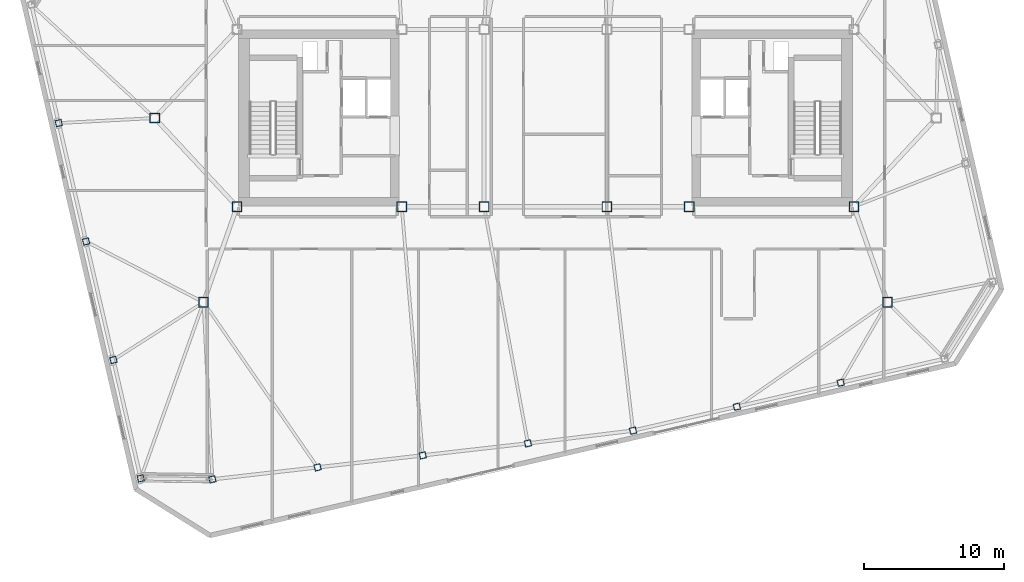
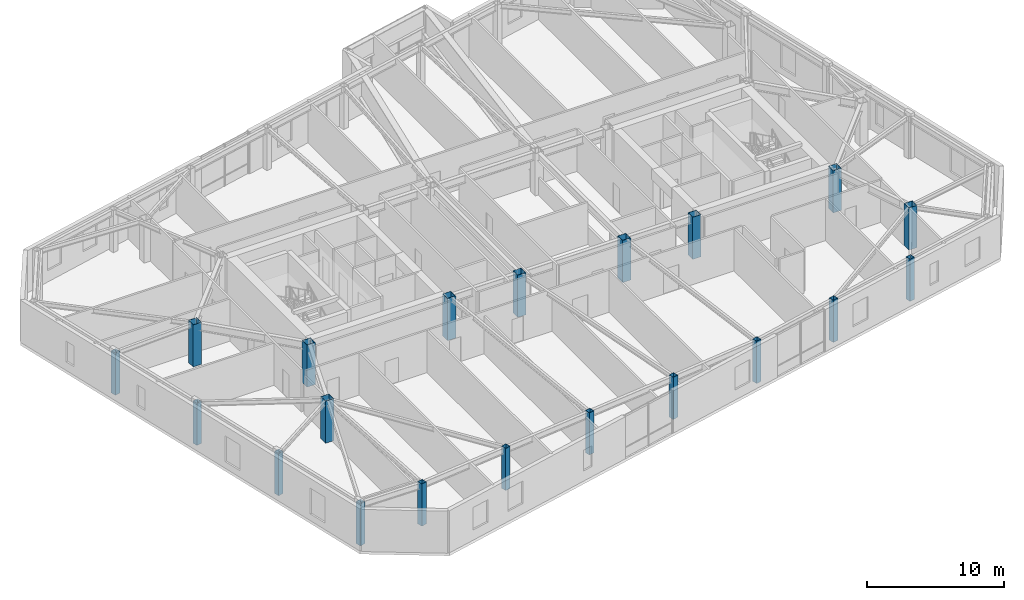
# One storey, part 1 of 24: 20 columns.
"""IFC4 building model written with IfcOpenShell, lengths in metres."""

from ifc_helpers import new_model, si_unit, direction, frame, origin, origin_2d, place, context, subcontext, project, spatial, hollow_rectangle, extrude, material, material_profile, profile_set, type_object, element, save


model = new_model("IFC4")

# Units and contexts
model_context = context("Model", 3, precision=1e-05, world=origin(), true_north=direction((0.0, 1.0)))
body_context = subcontext(model_context, "Body", "Model", "MODEL_VIEW")
ifc_project = project(units=[si_unit("LENGTHUNIT", "METRE"), si_unit("AREAUNIT", "SQUARE_METRE"), si_unit("VOLUMEUNIT", "CUBIC_METRE"), si_unit("PLANEANGLEUNIT", "RADIAN"), si_unit("MASSUNIT", "GRAM", prefix="KILO")], contexts=[model_context])

# Site, building, storey
site_placement = place(None, origin())
site = spatial("IfcSite", under=ifc_project, at=site_placement, CompositionType="ELEMENT")
building_placement = place(site_placement, origin())
building = spatial("IfcBuilding", under=site, at=building_placement, Name="Tavrogorsk Clinical Tower", CompositionType="ELEMENT")
storey_placement = place(building_placement, frame((0.0, 0.0, 309.0)))
storey = spatial("IfcBuildingStorey", under=building, at=storey_placement, Name="L72", CompositionType="ELEMENT", Elevation=309.0)

# Columns
ifc_material_1 = material(Name="Structural steel S440", Category="steel")
ifc_material_profile_1 = material_profile(ifc_material_1, hollow_rectangle(XDim=0.699951171875, YDim=0.699951171875, WallThickness=0.031982421875, at=origin_2d()), Name="BOX-700x700x32")
ifc_profile_set_1 = profile_set([ifc_material_profile_1], Name="Structural steel S440")
column_type_1 = type_object("IfcColumnType", Name="MegaCol_BOX700", PredefinedType="COLUMN", material=ifc_profile_set_1)
for number, where, z_axis, x_axis, name in (
    (1, (-22.10009765625, -6.35009765625, 0.0), (0.0, 0.0, 1.0), (1.0, 0.0, 0.0), "L72 Mega Column MC-W1"),
    (2, (-10.300048828125, -6.35009765625, 0.0), (0.0, 0.0, 1.0), (1.0, 0.0, 0.0), "L72 Mega Column MC-W3"),
    (3, (10.300048828125, -6.35009765625, 0.0), (0.0, 0.0, 1.0), (1.0, 0.0, 0.0), "L72 Mega Column MC-E1"),
    (4, (22.10009765625, -6.35009765625, 0.0), (0.0, 0.0, 1.0), (1.0, 0.0, 0.0), "L72 Mega Column MC-E3"),
    (5, (-4.39990234375, -6.35009765625, 0.0), (0.0, 0.0, 1.0), (1.0, 0.0, 0.0), "L72 Mega Column MC-C1"),
    (6, (4.39990234375, -6.35009765625, 0.0), (0.0, 0.0, 1.0), (1.0, 0.0, 0.0), "L72 Mega Column MC-C2"),
    (7, (-24.5, -13.199951171875, 0.0), (0.0, 0.0, 1.0), (1.0, 0.0, 0.0), "L72 Spine Pilotis Column MC-P1"),
    (8, (24.5, -13.199951171875, 0.0), (0.0, 0.0, 1.0), (1.0, 0.0, 0.0), "L72 Spine Pilotis Column MC-P2"),
    (9, (-28.0, 0.0, 0.0), (0.0, 0.0, 1.0), (1.0, 0.0, 0.0), "L72 Spine Pilotis Column MC-P5"),
):
    element("IfcColumn", number, at=place(storey_placement, frame(where, z_axis=z_axis, x_axis=x_axis)), inside=storey, type_object=column_type_1, Name=name, PredefinedType="COLUMN", context=body_context, shape_type="SweptSolid", body=[
        extrude(hollow_rectangle(XDim=0.699951171875, YDim=0.699951171875, WallThickness=0.031982421875, at=origin_2d()), origin(), (0.0, 0.0, 1.0), 3.739990234375),
    ])
ifc_material_2 = material(Name="Structural steel S440", Category="steel")
ifc_material_profile_2 = material_profile(ifc_material_2, hollow_rectangle(XDim=0.449951171875, YDim=0.449951171875, WallThickness=0.02197265625, at=origin_2d()), Name="BOX-450x450x22")
ifc_profile_set_2 = profile_set([ifc_material_profile_2], Name="Structural steel S440")
column_type_2 = type_object("IfcColumnType", Name="PerimCol_B5_BOX450", PredefinedType="COLUMN", material=ifc_profile_set_2)
for number, where, z_axis, x_axis, name in (
    (10, (-23.866943359375, -25.8857421875, 0.0), (0.0, 0.0, 1.0), (0.974370064785, 0.224951054344, 0.0), "L72 Perimeter Column S1"),
    (11, (-16.330322265625, -25.027099609375, 0.0), (0.0, 0.0, 1.0), (0.974370064785, 0.224951054344, 0.0), "L72 Perimeter Column S2"),
    (12, (-8.7939453125, -24.16845703125, 0.0), (0.0, 0.0, 1.0), (0.974370064785, 0.224951054344, 0.0), "L72 Perimeter Column S3"),
    (13, (-1.257568359375, -23.309814453125, 0.0), (0.0, 0.0, 1.0), (0.974370064785, 0.224951054344, 0.0), "L72 Perimeter Column S4"),
    (14, (6.272705078125, -22.39697265625, 0.0), (0.0, 0.0, 1.0), (0.974370064785, 0.224951054344, 0.0), "L72 Perimeter Column S5"),
    (15, (13.711181640625, -20.6796875, 0.0), (0.0, 0.0, 1.0), (0.974370064785, 0.224951054344, 0.0), "L72 Perimeter Column S6"),
    (16, (21.14990234375, -18.96240234375, 0.0), (0.0, 0.0, 1.0), (0.974370064785, 0.224951054344, 0.0), "L72 Perimeter Column S7"),
    (17, (-34.876708984375, -0.358642578125, 0.0), (0.0, 0.0, 1.0), (0.974370064785, 0.224951054344, 0.0), "L72 Perimeter Column W2"),
    (18, (-32.917236328125, -8.845458984375, 0.0), (0.0, 0.0, 1.0), (0.974370064785, 0.224951054344, 0.0), "L72 Perimeter Column W3"),
    (19, (-30.9580078125, -17.332275390625, 0.0), (0.0, 0.0, 1.0), (0.974370064785, 0.224951054344, 0.0), "L72 Perimeter Column W4"),
    (20, (-28.99853515625, -25.819091796875, 0.0), (0.0, 0.0, 1.0), (0.974370064785, 0.224951054344, 0.0), "L72 Perimeter Column W5"),
):
    element("IfcColumn", number, at=place(storey_placement, frame(where, z_axis=z_axis, x_axis=x_axis)), inside=storey, type_object=column_type_2, Name=name, PredefinedType="COLUMN", context=body_context, shape_type="SweptSolid", body=[
        extrude(hollow_rectangle(XDim=0.449951171875, YDim=0.449951171875, WallThickness=0.02197265625, at=origin_2d()), origin(), (0.0, 0.0, 1.0), 3.739990234375),
    ])

save(model, "model.ifc")
